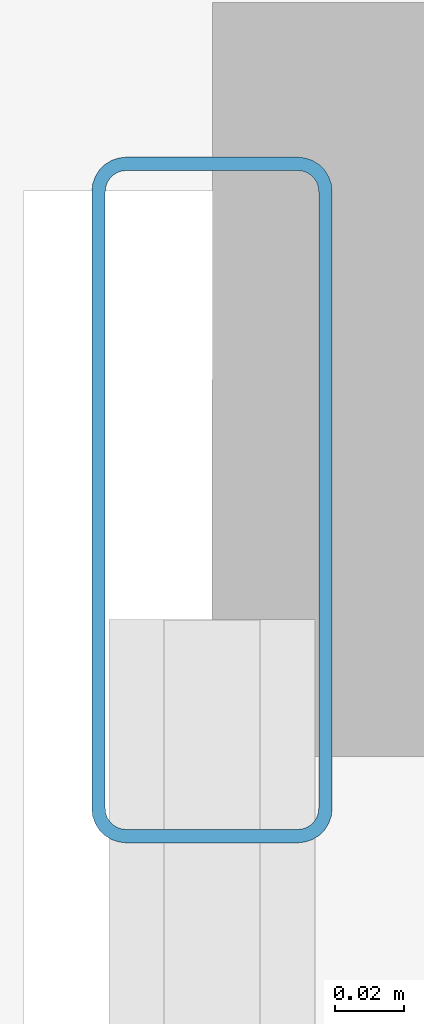
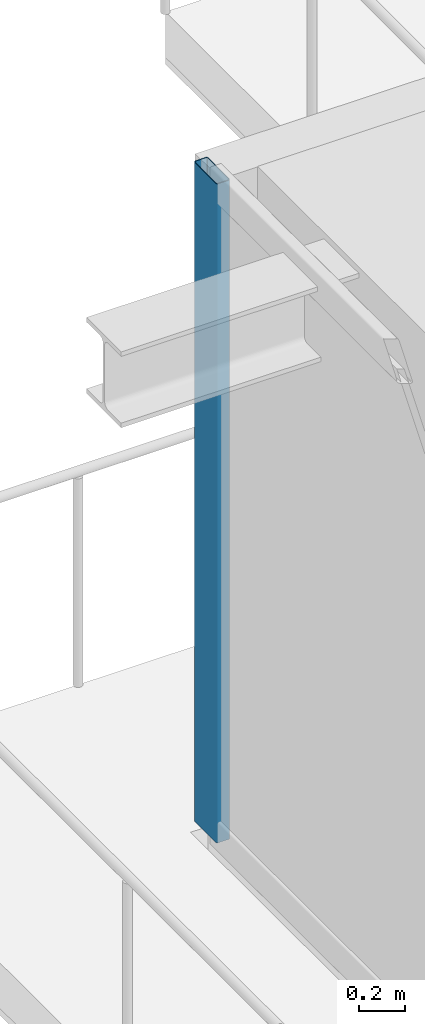
# One storey, part 18 of 39: 1 member, 1 element without a shape of its own.
"""IFC4 building model written with IfcOpenShell, lengths in metres."""

from ifc_helpers import new_model, si_unit, direction, frame, origin, origin_2d, place, context, subcontext, project, spatial, hollow_rectangle, extrude, source, transform, mapped, material, layer, layer_set, material_profile, profile_set, type_object, element, aggregate, save


model = new_model("IFC4")

# Units and contexts
model_context = context("Model", 3, precision=1e-05, world=origin(), true_north=direction((0.0, 1.0)))
body_context = subcontext(model_context, "Body", "Model", "MODEL_VIEW")
ifc_project = project(units=[si_unit("LENGTHUNIT", "METRE"), si_unit("AREAUNIT", "SQUARE_METRE"), si_unit("VOLUMEUNIT", "CUBIC_METRE"), si_unit("PLANEANGLEUNIT", "RADIAN"), si_unit("MASSUNIT", "GRAM", prefix="KILO")], contexts=[model_context])

# Site, building, storey
site_placement = place(None, origin())
site = spatial("IfcSite", under=ifc_project, at=site_placement, CompositionType="ELEMENT")
building_placement = place(site_placement, origin())
building = spatial("IfcBuilding", under=site, at=building_placement, Name="Serunith Strait Residences", CompositionType="ELEMENT")
storey_placement = place(building_placement, frame((0.0, 0.0, 94.199951171875)))
storey = spatial("IfcBuildingStorey", under=building, at=storey_placement, Name="L23", CompositionType="ELEMENT", Elevation=94.199951171875)

# Curtain wall, member
ifc_material = material(Name="Pale-Champagne Anodised Aluminium", Category="aluminium")
ifc_layer = layer(ifc_material, 0.199951171875, Name="Pale-Champagne Anodised Aluminium")
ifc_layer_set = layer_set([ifc_layer], Name="Pale-Champagne Anodised Aluminium")
curtain_wall_type = type_object("IfcCurtainWallType", Name="CW-SYS1", PredefinedType="NOTDEFINED", material=ifc_layer_set)
curtain_wall_placement = place(storey_placement, origin())
curtain_wall = element("IfcCurtainWall", 1, at=curtain_wall_placement, inside=storey, type_object=curtain_wall_type, Name="L23 W Unitised Fritted Curtain Wall", PredefinedType="NOTDEFINED")
ifc_material_profile = material_profile(ifc_material, hollow_rectangle(XDim=0.070068359375, YDim=0.199951171875, WallThickness=0.00390625, InnerFilletRadius=0.006103515625, OuterFilletRadius=0.010009765625, at=origin_2d()), Name="ALU 200x70x4")
ifc_profile_set = profile_set([ifc_material_profile], Name="Pale-Champagne Anodised Aluminium")
member_type = type_object("IfcMemberType", Name="CW-SYS1-MULL", PredefinedType="MULLION", material=ifc_profile_set)
shared_shape = source(origin(), body_context, "Body", "SweptSolid", [
    extrude(hollow_rectangle(XDim=0.070068359375, YDim=0.199951171875, WallThickness=0.00390625, InnerFilletRadius=0.006103515625, OuterFilletRadius=0.010009765625, at=origin_2d()), origin(), (0.0, 0.0, 1.0), 3.47509765625),
])
member_placement = place(storey_placement, frame((6.0, 41.764892578125, 0.0), z_axis=(0.0, 0.0, 1.0), x_axis=(1.0, 0.0, 0.0)))
member = element("IfcMember", 2, at=member_placement, type_object=member_type, Name="CW-1 mullion 1", PredefinedType="MULLION", context=body_context, shape_type="MappedRepresentation", body=[
    mapped(shared_shape, transform((0.0, 0.0, 0.0), scale=1.0)),
])
aggregate(curtain_wall, [member])

save(model, "model.ifc")
